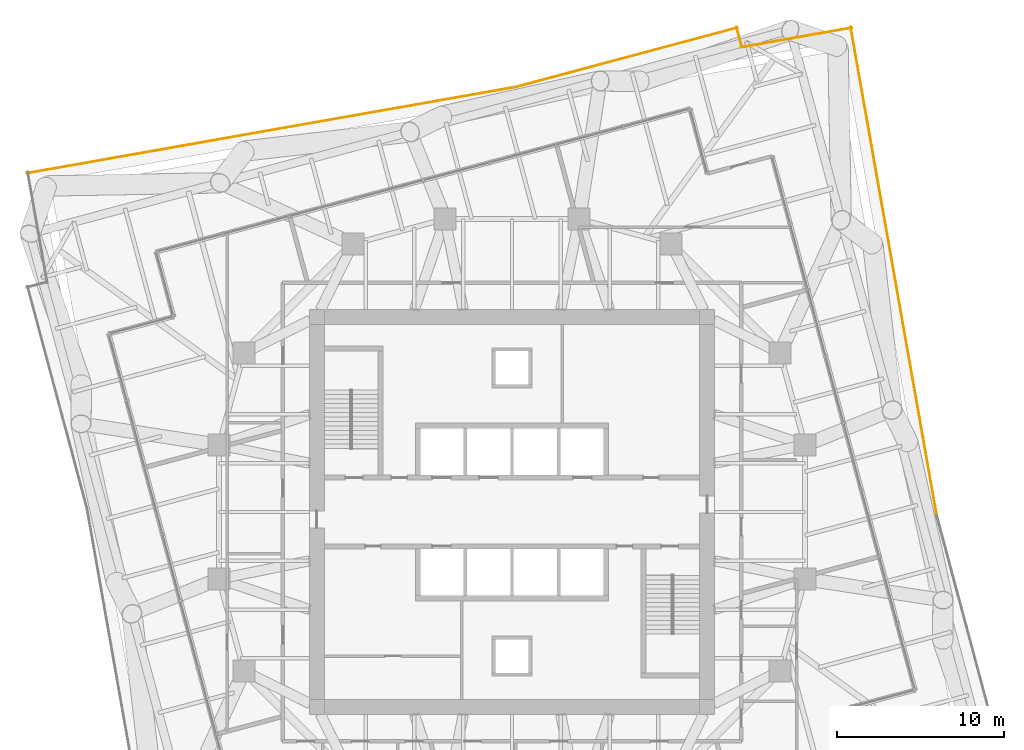
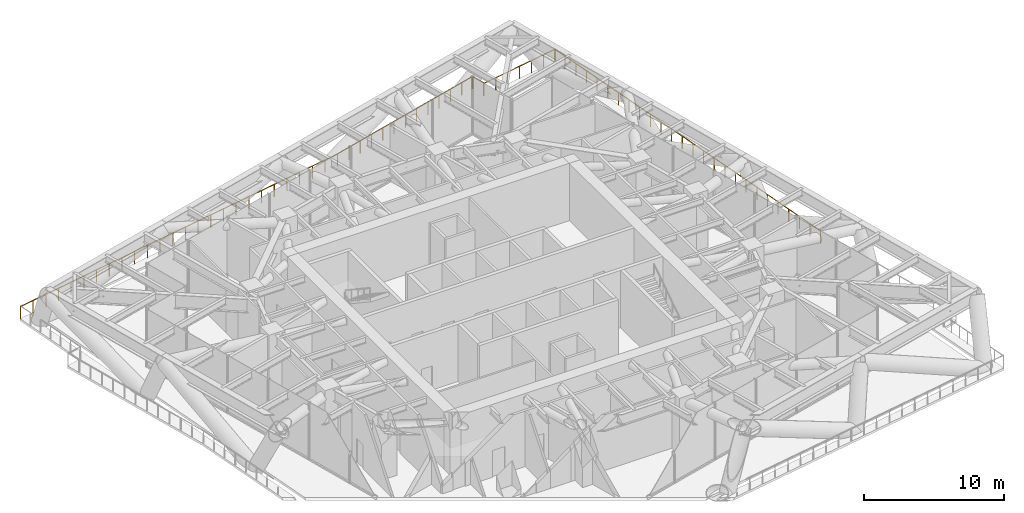
# One storey, part 14 of 14: 5 railings.
"""IFC4 building model written with IfcOpenShell, lengths in metres."""

from ifc_helpers import new_model, si_unit, direction, frame, origin, origin_2d, place, context, subcontext, project, spatial, circle, extrude, material, type_object, element, save


model = new_model("IFC4")

# Units and contexts
model_context = context("Model", 3, precision=1e-05, world=origin(), true_north=direction((0.0, 1.0)))
body_context = subcontext(model_context, "Body", "Model", "MODEL_VIEW")
ifc_project = project(units=[si_unit("LENGTHUNIT", "METRE"), si_unit("AREAUNIT", "SQUARE_METRE"), si_unit("VOLUMEUNIT", "CUBIC_METRE"), si_unit("PLANEANGLEUNIT", "RADIAN"), si_unit("MASSUNIT", "GRAM", prefix="KILO")], contexts=[model_context])

# Site, building, storey
site_placement = place(None, origin())
site = spatial("IfcSite", under=ifc_project, at=site_placement, CompositionType="ELEMENT")
building_placement = place(site_placement, origin())
building = spatial("IfcBuilding", under=site, at=building_placement, Name="Torsade Residences", CompositionType="ELEMENT")
storey_placement = place(building_placement, frame((0.0, 0.0, 106.60009765625)))
storey = spatial("IfcBuildingStorey", under=building, at=storey_placement, Name="L29", CompositionType="ELEMENT", Elevation=106.60009765625)

# Railings
ifc_material = material(Name="Galvanised steel guard rail", Category="steel")
railing_type = type_object("IfcRailingType", Name="ROOF EDGE GUARD 1100", PredefinedType="GUARDRAIL", material=ifc_material)
railing_1_placement = place(storey_placement, frame((65.377685546875, 29.7578125, 0.0)))
element("IfcRailing", 1, at=railing_1_placement, inside=storey, type_object=railing_type, Name="Roof edge guard L29 8", PredefinedType="GUARDRAIL", context=body_context, shape_type="SweptSolid", body=[
    extrude(circle(Radius=0.02392578125, at=origin_2d()), frame((0.0, 0.0, 1.076171875), z_axis=(-0.173651907578, 0.984807095321, 0.0), x_axis=(-0.984807095321, -0.173651907578, 0.0)), (0.0, 0.0, 1.0), 29.645263671875),
    extrude(circle(Radius=0.02099609375, at=origin_2d()), origin(), (0.0, 0.0, 1.0), 1.052001953125),
    extrude(circle(Radius=0.02099609375, at=origin_2d()), frame((-0.205810546875, 1.167724609375, 0.0)), (0.0, 0.0, 1.0), 1.052001953125),
    extrude(circle(Radius=0.02099609375, at=origin_2d()), frame((-0.411865234375, 2.335693359375, 0.0)), (0.0, 0.0, 1.0), 1.052001953125),
    extrude(circle(Radius=0.02099609375, at=origin_2d()), frame((-0.61767578125, 3.50341796875, 0.0)), (0.0, 0.0, 1.0), 1.052001953125),
    extrude(circle(Radius=0.02099609375, at=origin_2d()), frame((-0.82373046875, 4.671142578125, 0.0)), (0.0, 0.0, 1.0), 1.052001953125),
    extrude(circle(Radius=0.02099609375, at=origin_2d()), frame((-1.029541015625, 5.8388671875, 0.0)), (0.0, 0.0, 1.0), 1.052001953125),
    extrude(circle(Radius=0.02099609375, at=origin_2d()), frame((-1.235595703125, 7.0068359375, 0.0)), (0.0, 0.0, 1.0), 1.052001953125),
    extrude(circle(Radius=0.02099609375, at=origin_2d()), frame((-1.44140625, 8.174560546875, 0.0)), (0.0, 0.0, 1.0), 1.052001953125),
    extrude(circle(Radius=0.02099609375, at=origin_2d()), frame((-1.6474609375, 9.34228515625, 0.0)), (0.0, 0.0, 1.0), 1.052001953125),
    extrude(circle(Radius=0.02099609375, at=origin_2d()), frame((-1.853271484375, 10.51025390625, 0.0)), (0.0, 0.0, 1.0), 1.052001953125),
    extrude(circle(Radius=0.02099609375, at=origin_2d()), frame((-2.05908203125, 11.677978515625, 0.0)), (0.0, 0.0, 1.0), 1.052001953125),
    extrude(circle(Radius=0.02099609375, at=origin_2d()), frame((-2.26513671875, 12.845703125, 0.0)), (0.0, 0.0, 1.0), 1.052001953125),
    extrude(circle(Radius=0.02099609375, at=origin_2d()), frame((-2.470947265625, 14.013427734375, 0.0)), (0.0, 0.0, 1.0), 1.052001953125),
    extrude(circle(Radius=0.02099609375, at=origin_2d()), frame((-2.677001953125, 15.181396484375, 0.0)), (0.0, 0.0, 1.0), 1.052001953125),
    extrude(circle(Radius=0.02099609375, at=origin_2d()), frame((-2.8828125, 16.34912109375, 0.0)), (0.0, 0.0, 1.0), 1.052001953125),
    extrude(circle(Radius=0.02099609375, at=origin_2d()), frame((-3.0888671875, 17.516845703125, 0.0)), (0.0, 0.0, 1.0), 1.052001953125),
    extrude(circle(Radius=0.02099609375, at=origin_2d()), frame((-3.294677734375, 18.6845703125, 0.0)), (0.0, 0.0, 1.0), 1.052001953125),
    extrude(circle(Radius=0.02099609375, at=origin_2d()), frame((-3.50048828125, 19.8525390625, 0.0)), (0.0, 0.0, 1.0), 1.052001953125),
    extrude(circle(Radius=0.02099609375, at=origin_2d()), frame((-3.70654296875, 21.020263671875, 0.0)), (0.0, 0.0, 1.0), 1.052001953125),
    extrude(circle(Radius=0.02099609375, at=origin_2d()), frame((-3.912353515625, 22.18798828125, 0.0)), (0.0, 0.0, 1.0), 1.052001953125),
    extrude(circle(Radius=0.02099609375, at=origin_2d()), frame((-4.118408203125, 23.35595703125, 0.0)), (0.0, 0.0, 1.0), 1.052001953125),
    extrude(circle(Radius=0.02099609375, at=origin_2d()), frame((-4.32421875, 24.523681640625, 0.0)), (0.0, 0.0, 1.0), 1.052001953125),
    extrude(circle(Radius=0.02099609375, at=origin_2d()), frame((-4.5302734375, 25.69140625, 0.0)), (0.0, 0.0, 1.0), 1.052001953125),
    extrude(circle(Radius=0.02099609375, at=origin_2d()), frame((-4.736083984375, 26.859130859375, 0.0)), (0.0, 0.0, 1.0), 1.052001953125),
    extrude(circle(Radius=0.02099609375, at=origin_2d()), frame((-4.942138671875, 28.027099609375, 0.0)), (0.0, 0.0, 1.0), 1.052001953125),
    extrude(circle(Radius=0.02099609375, at=origin_2d()), frame((-5.14794921875, 29.19482421875, 0.0)), (0.0, 0.0, 1.0), 1.052001953125),
])
railing_2_placement = place(storey_placement, frame((60.28759765625, 58.912109375, 0.0)))
element("IfcRailing", 2, at=railing_2_placement, inside=storey, type_object=railing_type, Name="Roof edge guard L29 9", PredefinedType="GUARDRAIL", context=body_context, shape_type="SweptSolid", body=[
    extrude(circle(Radius=0.02392578125, at=origin_2d()), frame((0.0, 0.0, 1.076171875), z_axis=(-0.984806292644, -0.173656459625, 0.0), x_axis=(0.173656459625, -0.984806292644, 0.0)), (0.0, 0.0, 1.0), 6.700439453125),
    extrude(circle(Radius=0.02099609375, at=origin_2d()), origin(), (0.0, 0.0, 1.0), 1.052001953125),
    extrude(circle(Radius=0.02099609375, at=origin_2d()), frame((-1.099853515625, -0.19384765625, 0.0)), (0.0, 0.0, 1.0), 1.052001953125),
    extrude(circle(Radius=0.02099609375, at=origin_2d()), frame((-2.199462890625, -0.387939453125, 0.0)), (0.0, 0.0, 1.0), 1.052001953125),
    extrude(circle(Radius=0.02099609375, at=origin_2d()), frame((-3.29931640625, -0.581787109375, 0.0)), (0.0, 0.0, 1.0), 1.052001953125),
    extrude(circle(Radius=0.02099609375, at=origin_2d()), frame((-4.399169921875, -0.775634765625, 0.0)), (0.0, 0.0, 1.0), 1.052001953125),
    extrude(circle(Radius=0.02099609375, at=origin_2d()), frame((-5.498779296875, -0.9697265625, 0.0)), (0.0, 0.0, 1.0), 1.052001953125),
    extrude(circle(Radius=0.02099609375, at=origin_2d()), frame((-6.5986328125, -1.16357421875, 0.0)), (0.0, 0.0, 1.0), 1.052001953125),
])
railing_3_placement = place(storey_placement, frame((53.72216796875, 57.80078125, 0.0)))
element("IfcRailing", 3, at=railing_3_placement, inside=storey, type_object=railing_type, Name="Roof edge guard L29 10", PredefinedType="GUARDRAIL", context=body_context, shape_type="SweptSolid", body=[
    extrude(circle(Radius=0.02392578125, at=origin_2d()), frame((0.0, 0.0, 1.076171875), z_axis=(-0.258803991931, 0.965929859648, 0.0), x_axis=(-0.965929859648, -0.258803991931, 0.0)), (0.0, 0.0, 1.0), 1.197998046875),
    extrude(circle(Radius=0.02099609375, at=origin_2d()), origin(), (0.0, 0.0, 1.0), 1.052001953125),
    extrude(circle(Radius=0.02099609375, at=origin_2d()), frame((-0.31005859375, 1.1572265625, 0.0)), (0.0, 0.0, 1.0), 1.052001953125),
])
railing_4_placement = place(storey_placement, frame((53.473388671875, 58.922607421875, 0.0)))
element("IfcRailing", 4, at=railing_4_placement, inside=storey, type_object=railing_type, Name="Roof edge guard L29 11", PredefinedType="GUARDRAIL", context=body_context, shape_type="SweptSolid", body=[
    extrude(circle(Radius=0.02392578125, at=origin_2d()), frame((0.0, 0.0, 1.076171875), z_axis=(-0.965928083042, -0.258810622638, 0.0), x_axis=(0.258810622638, -0.965928083042, 0.0)), (0.0, 0.0, 1.0), 13.697998046875),
    extrude(circle(Radius=0.02099609375, at=origin_2d()), origin(), (0.0, 0.0, 1.0), 1.052001953125),
    extrude(circle(Radius=0.02099609375, at=origin_2d()), frame((-1.1025390625, -0.29541015625, 0.0)), (0.0, 0.0, 1.0), 1.052001953125),
    extrude(circle(Radius=0.02099609375, at=origin_2d()), frame((-2.205078125, -0.5908203125, 0.0)), (0.0, 0.0, 1.0), 1.052001953125),
    extrude(circle(Radius=0.02099609375, at=origin_2d()), frame((-3.307861328125, -0.88623046875, 0.0)), (0.0, 0.0, 1.0), 1.052001953125),
    extrude(circle(Radius=0.02099609375, at=origin_2d()), frame((-4.410400390625, -1.181640625, 0.0)), (0.0, 0.0, 1.0), 1.052001953125),
    extrude(circle(Radius=0.02099609375, at=origin_2d()), frame((-5.512939453125, -1.47705078125, 0.0)), (0.0, 0.0, 1.0), 1.052001953125),
    extrude(circle(Radius=0.02099609375, at=origin_2d()), frame((-6.61572265625, -1.7724609375, 0.0)), (0.0, 0.0, 1.0), 1.052001953125),
    extrude(circle(Radius=0.02099609375, at=origin_2d()), frame((-7.71826171875, -2.068115234375, 0.0)), (0.0, 0.0, 1.0), 1.052001953125),
    extrude(circle(Radius=0.02099609375, at=origin_2d()), frame((-8.82080078125, -2.363525390625, 0.0)), (0.0, 0.0, 1.0), 1.052001953125),
    extrude(circle(Radius=0.02099609375, at=origin_2d()), frame((-9.92333984375, -2.658935546875, 0.0)), (0.0, 0.0, 1.0), 1.052001953125),
    extrude(circle(Radius=0.02099609375, at=origin_2d()), frame((-11.02587890625, -2.954345703125, 0.0)), (0.0, 0.0, 1.0), 1.052001953125),
    extrude(circle(Radius=0.02099609375, at=origin_2d()), frame((-12.128662109375, -3.249755859375, 0.0)), (0.0, 0.0, 1.0), 1.052001953125),
    extrude(circle(Radius=0.02099609375, at=origin_2d()), frame((-13.231201171875, -3.545166015625, 0.0)), (0.0, 0.0, 1.0), 1.052001953125),
])
railing_5_placement = place(storey_placement, frame((40.2421875, 55.377685546875, 0.0)))
element("IfcRailing", 5, at=railing_5_placement, inside=storey, type_object=railing_type, Name="Roof edge guard L29 12", PredefinedType="GUARDRAIL", context=body_context, shape_type="SweptSolid", body=[
    extrude(circle(Radius=0.02392578125, at=origin_2d()), frame((0.0, 0.0, 1.076171875), z_axis=(-0.984807095321, -0.173651907578, 0.0), x_axis=(0.173651907578, -0.984807095321, 0.0)), (0.0, 0.0, 1.0), 29.645263671875),
    extrude(circle(Radius=0.02099609375, at=origin_2d()), origin(), (0.0, 0.0, 1.0), 1.052001953125),
    extrude(circle(Radius=0.02099609375, at=origin_2d()), frame((-1.167724609375, -0.205810546875, 0.0)), (0.0, 0.0, 1.0), 1.052001953125),
    extrude(circle(Radius=0.02099609375, at=origin_2d()), frame((-2.335693359375, -0.411865234375, 0.0)), (0.0, 0.0, 1.0), 1.052001953125),
    extrude(circle(Radius=0.02099609375, at=origin_2d()), frame((-3.50341796875, -0.61767578125, 0.0)), (0.0, 0.0, 1.0), 1.052001953125),
    extrude(circle(Radius=0.02099609375, at=origin_2d()), frame((-4.671142578125, -0.82373046875, 0.0)), (0.0, 0.0, 1.0), 1.052001953125),
    extrude(circle(Radius=0.02099609375, at=origin_2d()), frame((-5.8388671875, -1.029541015625, 0.0)), (0.0, 0.0, 1.0), 1.052001953125),
    extrude(circle(Radius=0.02099609375, at=origin_2d()), frame((-7.0068359375, -1.235595703125, 0.0)), (0.0, 0.0, 1.0), 1.052001953125),
    extrude(circle(Radius=0.02099609375, at=origin_2d()), frame((-8.174560546875, -1.44140625, 0.0)), (0.0, 0.0, 1.0), 1.052001953125),
    extrude(circle(Radius=0.02099609375, at=origin_2d()), frame((-9.34228515625, -1.6474609375, 0.0)), (0.0, 0.0, 1.0), 1.052001953125),
    extrude(circle(Radius=0.02099609375, at=origin_2d()), frame((-10.51025390625, -1.853271484375, 0.0)), (0.0, 0.0, 1.0), 1.052001953125),
    extrude(circle(Radius=0.02099609375, at=origin_2d()), frame((-11.677978515625, -2.05908203125, 0.0)), (0.0, 0.0, 1.0), 1.052001953125),
    extrude(circle(Radius=0.02099609375, at=origin_2d()), frame((-12.845703125, -2.26513671875, 0.0)), (0.0, 0.0, 1.0), 1.052001953125),
    extrude(circle(Radius=0.02099609375, at=origin_2d()), frame((-14.013427734375, -2.470947265625, 0.0)), (0.0, 0.0, 1.0), 1.052001953125),
    extrude(circle(Radius=0.02099609375, at=origin_2d()), frame((-15.181396484375, -2.677001953125, 0.0)), (0.0, 0.0, 1.0), 1.052001953125),
    extrude(circle(Radius=0.02099609375, at=origin_2d()), frame((-16.34912109375, -2.8828125, 0.0)), (0.0, 0.0, 1.0), 1.052001953125),
    extrude(circle(Radius=0.02099609375, at=origin_2d()), frame((-17.516845703125, -3.0888671875, 0.0)), (0.0, 0.0, 1.0), 1.052001953125),
    extrude(circle(Radius=0.02099609375, at=origin_2d()), frame((-18.6845703125, -3.294677734375, 0.0)), (0.0, 0.0, 1.0), 1.052001953125),
    extrude(circle(Radius=0.02099609375, at=origin_2d()), frame((-19.8525390625, -3.50048828125, 0.0)), (0.0, 0.0, 1.0), 1.052001953125),
    extrude(circle(Radius=0.02099609375, at=origin_2d()), frame((-21.020263671875, -3.70654296875, 0.0)), (0.0, 0.0, 1.0), 1.052001953125),
    extrude(circle(Radius=0.02099609375, at=origin_2d()), frame((-22.18798828125, -3.912353515625, 0.0)), (0.0, 0.0, 1.0), 1.052001953125),
    extrude(circle(Radius=0.02099609375, at=origin_2d()), frame((-23.35595703125, -4.118408203125, 0.0)), (0.0, 0.0, 1.0), 1.052001953125),
    extrude(circle(Radius=0.02099609375, at=origin_2d()), frame((-24.523681640625, -4.32421875, 0.0)), (0.0, 0.0, 1.0), 1.052001953125),
    extrude(circle(Radius=0.02099609375, at=origin_2d()), frame((-25.69140625, -4.5302734375, 0.0)), (0.0, 0.0, 1.0), 1.052001953125),
    extrude(circle(Radius=0.02099609375, at=origin_2d()), frame((-26.859130859375, -4.736083984375, 0.0)), (0.0, 0.0, 1.0), 1.052001953125),
    extrude(circle(Radius=0.02099609375, at=origin_2d()), frame((-28.027099609375, -4.942138671875, 0.0)), (0.0, 0.0, 1.0), 1.052001953125),
    extrude(circle(Radius=0.02099609375, at=origin_2d()), frame((-29.19482421875, -5.14794921875, 0.0)), (0.0, 0.0, 1.0), 1.052001953125),
])

save(model, "model.ifc")
